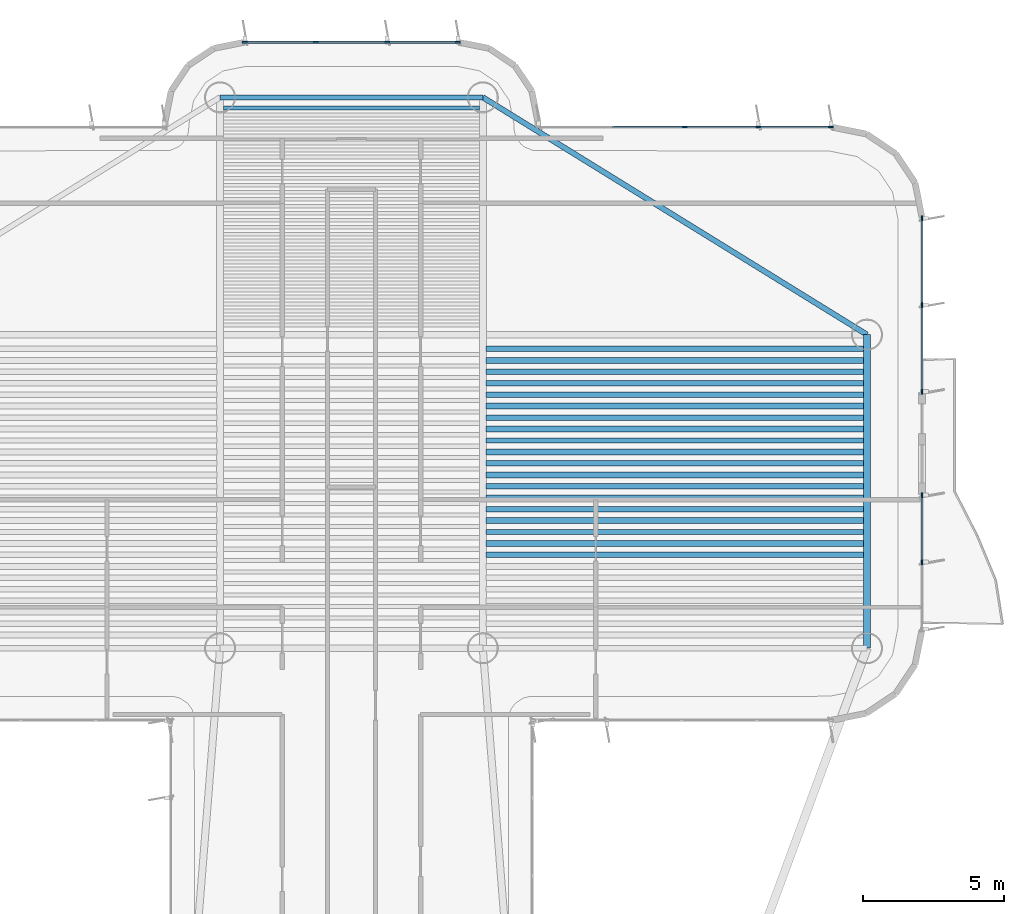
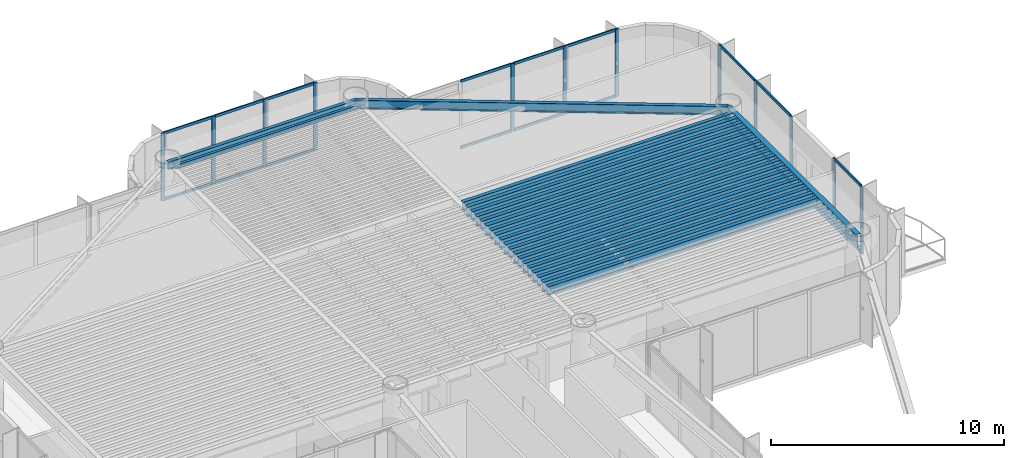
# One storey, part 7 of 14: 30 members, 23 beams, 4 elements without a shape of their own.
"""IFC4 building model written with IfcOpenShell, lengths in metres."""

import ifcopenshell
import ifcopenshell.guid

model = None  # the IFC model being written
_history = None  # IfcOwnerHistory: only IFC2X3 demands one
_inside = {}  # id of a spatial element -> (the spatial element, [elements in it])
_under = {}  # id of a project, library or spatial element -> (it, [spatial elements below it])
_declared = {}  # id of a project -> (the project, [libraries it declares])
_typed = {}  # id of a type object -> (the type object, [elements of that type])
_made_of = {}  # id of a material, layer set ... -> (it, [elements and type objects made of it])


def new_model(schema):
    """Start an empty IFC model of exactly this schema.

    Asked for "IFC4X3", IfcOpenShell would pick the latest addendum, in which some entities
    have other attributes; the version numbers below select the first issue.
    IFC2X3 requires an IfcOwnerHistory on every rooted entity: one is made here for all.
    """
    global model, _history
    if schema == "IFC4X3":
        model = ifcopenshell.file(schema_version=(4, 3, 0, 0))
    else:
        model = ifcopenshell.file(schema=schema)
    _inside.clear()
    _under.clear()
    _declared.clear()
    _typed.clear()
    _made_of.clear()
    _history = None
    if model.schema == "IFC2X3":
        org = make("IfcOrganization", Name="unknown")
        user = make(
            "IfcPersonAndOrganization",
            ThePerson=make("IfcPerson", FamilyName="unknown"),
            TheOrganization=org,
        )
        app = make(
            "IfcApplication",
            ApplicationDeveloper=org,
            Version="unknown",
            ApplicationFullName="unknown",
            ApplicationIdentifier="unknown",
        )
        _history = make(
            "IfcOwnerHistory",
            OwningUser=user,
            OwningApplication=app,
            ChangeAction="ADDED",
            CreationDate=0,
        )
    return model


def make(cls, **values):
    """One entity of the class cls with the attributes given. An attribute that is None is left unset."""
    return model.create_entity(
        cls, **{name: value for name, value in values.items() if value is not None}
    )


def rooted(cls, **values):
    """An entity with a GlobalId (a new one), such as an element, a storey or a relation."""
    return make(cls, GlobalId=ifcopenshell.guid.new(), OwnerHistory=_history, **values)


def si_unit(unit_type, name, prefix=None):
    """IfcSIUnit, for example si_unit("LENGTHUNIT", "METRE", prefix="MILLI")."""
    return make("IfcSIUnit", UnitType=unit_type, Prefix=prefix, Name=name)


def assignment(units):
    """IfcUnitAssignment: the units of a project."""
    return None if units is None else make("IfcUnitAssignment", Units=units)


def point(xyz):
    """IfcCartesianPoint."""
    return None if xyz is None else make("IfcCartesianPoint", Coordinates=xyz)


def direction(xyz):
    """IfcDirection."""
    return None if xyz is None else make("IfcDirection", DirectionRatios=xyz)


def frame(location, z_axis=None, x_axis=None):
    """IfcAxis2Placement3D, a coordinate frame: its origin and axes. An axis left out is left unset."""
    return make(
        "IfcAxis2Placement3D",
        Location=point(location),
        Axis=direction(z_axis),
        RefDirection=direction(x_axis),
    )


def frame_2d(location, x_axis=None):
    """IfcAxis2Placement2D, a coordinate frame in the plane: its origin and x axis."""
    return make(
        "IfcAxis2Placement2D", Location=point(location), RefDirection=direction(x_axis)
    )


def origin():
    """The frame at (0, 0, 0) with its axes left unset."""
    return frame((0.0, 0.0, 0.0))


def origin_2d():
    """The frame at (0, 0) in the plane with its x axis left unset."""
    return frame_2d((0.0, 0.0))


def place(relative_to, where):
    """IfcLocalPlacement: puts the frame where relative to a parent placement (None: the world)."""
    return make(
        "IfcLocalPlacement", PlacementRelTo=relative_to, RelativePlacement=where
    )


def context(
    kind, dimensions, precision=None, world=None, true_north=None, identifier=None
):
    """IfcGeometricRepresentationContext, for example the 3D "Model" context."""
    return make(
        "IfcGeometricRepresentationContext",
        ContextIdentifier=identifier,
        ContextType=kind,
        CoordinateSpaceDimension=dimensions,
        Precision=precision,
        WorldCoordinateSystem=world,
        TrueNorth=true_north,
    )


def subcontext(parent, identifier, kind, view, scale=None):
    """IfcGeometricRepresentationSubContext, for example "Body" below "Model"."""
    return make(
        "IfcGeometricRepresentationSubContext",
        ContextIdentifier=identifier,
        ContextType=kind,
        ParentContext=parent,
        TargetScale=scale,
        TargetView=view,
    )


def project(units=None, contexts=None):
    """IfcProject with its units and contexts."""
    return rooted(
        "IfcProject",
        Name="project",
        RepresentationContexts=contexts,
        UnitsInContext=assignment(units),
    )


def spatial(cls, under=None, at=None, **own):
    """A site, building, storey or space (cls), placed at a placement, below another one or the project."""
    s = rooted(cls, ObjectPlacement=at, **own)
    if under is not None:
        _under.setdefault(under.id(), (under, []))[1].append(s)
    return s


def profile(cls, at=None, kind="AREA", **sizes):
    """A parametric profile (cls). Its sizes go by their IFC names, for example OverallWidth=200.0."""
    return make(cls, ProfileType=kind, Position=at, **sizes)


def rectangle(**sizes):
    """IfcRectangleProfileDef."""
    return profile("IfcRectangleProfileDef", **sizes)


def i_section(**sizes):
    """IfcIShapeProfileDef."""
    return profile("IfcIShapeProfileDef", **sizes)


def extrude(swept, where, along, depth):
    """IfcExtrudedAreaSolid: the profile swept, set in the frame where, extruded along a direction by depth."""
    return make(
        "IfcExtrudedAreaSolid",
        SweptArea=swept,
        Position=where,
        ExtrudedDirection=direction(along),
        Depth=depth,
    )


def shape(context_of_items, identifier, shape_type, items):
    """IfcShapeRepresentation: the items that make up one representation, for example the "Body"."""
    return make(
        "IfcShapeRepresentation",
        ContextOfItems=context_of_items,
        RepresentationIdentifier=identifier,
        RepresentationType=shape_type,
        Items=items,
    )


def source(mapping_origin, context_of_items, identifier, shape_type, items):
    """IfcRepresentationMap: a shape defined once, which mapped items show again and again."""
    return make(
        "IfcRepresentationMap",
        MappingOrigin=mapping_origin,
        MappedRepresentation=shape(context_of_items, identifier, shape_type, items),
    )


def transform(
    local_origin,
    x_axis=None,
    y_axis=None,
    z_axis=None,
    scale=None,
    scale2=None,
    scale3=None,
    uniform=True,
):
    """IfcCartesianTransformationOperator3D, or its non-uniform kind. x_axis, y_axis, z_axis: its Axis1, 2, 3."""
    if uniform:
        return make(
            "IfcCartesianTransformationOperator3D",
            Axis1=direction(x_axis),
            Axis2=direction(y_axis),
            LocalOrigin=point(local_origin),
            Scale=scale,
            Axis3=direction(z_axis),
        )
    return make(
        "IfcCartesianTransformationOperator3DnonUniform",
        Axis1=direction(x_axis),
        Axis2=direction(y_axis),
        LocalOrigin=point(local_origin),
        Scale=scale,
        Axis3=direction(z_axis),
        Scale2=scale2,
        Scale3=scale3,
    )


def mapped(mapping_source, mapping_target):
    """IfcMappedItem: shows the shape of a source again, moved by a transform."""
    return make(
        "IfcMappedItem", MappingSource=mapping_source, MappingTarget=mapping_target
    )


def material(Name=None, Category=None):
    """IfcMaterial."""
    return make("IfcMaterial", Name=Name, Category=Category)


def layer(
    of_material, thickness, ventilated=None, Name=None, Category=None, Priority=None
):
    """IfcMaterialLayer: one layer of a wall or slab, of a material (None: an air gap)."""
    return make(
        "IfcMaterialLayer",
        Material=of_material,
        LayerThickness=thickness,
        IsVentilated=ventilated,
        Name=Name,
        Category=Category,
        Priority=Priority,
    )


def layer_set(layers, Name=None):
    """IfcMaterialLayerSet."""
    return make("IfcMaterialLayerSet", MaterialLayers=layers, LayerSetName=Name)


def material_profile(
    of_material, cross_section, Name=None, Category=None, Priority=None
):
    """IfcMaterialProfile: a cross section and its material."""
    return make(
        "IfcMaterialProfile",
        Name=Name,
        Material=of_material,
        Profile=cross_section,
        Priority=Priority,
        Category=Category,
    )


def profile_set(profiles, Name=None, composite=None):
    """IfcMaterialProfileSet."""
    return make(
        "IfcMaterialProfileSet",
        Name=Name,
        MaterialProfiles=profiles,
        CompositeProfile=composite,
    )


def made_of(thing, what):
    """Note that an element or type object is made of a material, layer set ...; save() writes the relation."""
    if what is not None:
        _made_of.setdefault(what.id(), (what, []))[1].append(thing)
    return thing


def type_object(cls, material=None, **own):
    """A type object (cls), such as IfcWallType, which elements share."""
    return made_of(rooted(cls, **own), material)


def element(
    cls,
    number,
    at=None,
    inside=None,
    cuts=None,
    type_object=None,
    material=None,
    context=None,
    identifier="Body",
    shape_type=None,
    held_by="IfcProductDefinitionShape",
    body=None,
    shapes=None,
    **own,
):
    """One element of the class cls, such as IfcWall. Its Tag is "e" and its number.

    at: its placement. inside: the storey or other place that contains it. cuts: it is an
    opening in that element (IfcRelVoidsElement). A single representation is given by context,
    identifier, shape_type and body (its items); several are given by shapes. held_by: the class
    of the entity that holds the representations. save() writes the other relations.
    """
    e = rooted(cls, Tag="e%d" % number, ObjectPlacement=at, **own)
    if body is not None:
        shapes = [shape(context, identifier, shape_type, body)]
    if shapes is not None:
        e.Representation = make(held_by, Representations=shapes)
    if inside is not None:
        _inside.setdefault(inside.id(), (inside, []))[1].append(e)
    if cuts is not None:
        rooted(
            "IfcRelVoidsElement", RelatingBuildingElement=cuts, RelatedOpeningElement=e
        )
    if type_object is not None:
        _typed.setdefault(type_object.id(), (type_object, []))[1].append(e)
    return made_of(e, material)


def aggregate(whole, parts):
    """IfcRelAggregates: a whole, such as a stair, and the parts it consists of."""
    return rooted("IfcRelAggregates", RelatingObject=whole, RelatedObjects=parts)


def save(model, path):
    """Write the relations noted so far, then the file.

    IfcRelAggregates (storeys below a building ...), IfcRelContainedInSpatialStructure (elements
    in a storey), IfcRelDefinesByType, IfcRelAssociatesMaterial and IfcRelDeclares: one each for
    every whole, place, type object, material and project.
    """
    for whole, parts in _under.values():
        aggregate(whole, parts)
    for where, things in _inside.values():
        rooted(
            "IfcRelContainedInSpatialStructure",
            RelatedElements=things,
            RelatingStructure=where,
        )
    for kind, things in _typed.values():
        rooted("IfcRelDefinesByType", RelatedObjects=things, RelatingType=kind)
    for what, things in _made_of.values():
        rooted("IfcRelAssociatesMaterial", RelatedObjects=things, RelatingMaterial=what)
    for by, libraries in _declared.values():
        rooted("IfcRelDeclares", RelatingContext=by, RelatedDefinitions=libraries)
    model.write(path)


model = new_model("IFC4")

# Units and contexts
model_context = context("Model", 3, precision=1e-05, world=origin(), true_north=direction((0.0, 1.0)))
body_context = subcontext(model_context, "Body", "Model", "MODEL_VIEW")
ifc_project = project(units=[si_unit("LENGTHUNIT", "METRE"), si_unit("AREAUNIT", "SQUARE_METRE"), si_unit("VOLUMEUNIT", "CUBIC_METRE"), si_unit("PLANEANGLEUNIT", "RADIAN"), si_unit("MASSUNIT", "GRAM", prefix="KILO")], contexts=[model_context])

# Site, building, storey
site_placement = place(None, origin())
site = spatial("IfcSite", under=ifc_project, at=site_placement, CompositionType="ELEMENT")
building_placement = place(site_placement, origin())
building = spatial("IfcBuilding", under=site, at=building_placement, Name="Brelvock Crest Care Tower", CompositionType="ELEMENT")
storey_placement = place(building_placement, frame((0.0, 0.0, 182.8798828125)))
storey = spatial("IfcBuildingStorey", under=building, at=storey_placement, Name="L46", CompositionType="ELEMENT", Elevation=182.8798828125)

# Beams
ifc_material_1 = material(Name="Steel Grade 350", Category="steel")
ifc_material_profile_1 = material_profile(ifc_material_1, i_section(OverallWidth=0.177978515625, OverallDepth=0.406005859375, WebThickness=0.0078125, FlangeThickness=0.0126953125, FilletRadius=0.011474609375, at=origin_2d()), Name="410UB59.7")
ifc_profile_set_1 = profile_set([ifc_material_profile_1], Name="Steel Grade 350")
beam_type_1 = type_object("IfcBeamType", Name="BM-SP1", PredefinedType="SPANDREL", material=ifc_profile_set_1)
shared_shape_1 = source(origin(), body_context, "Body", "SweptSolid", [
    extrude(i_section(OverallWidth=0.177978515625, OverallDepth=0.406005859375, WebThickness=0.0078125, FlangeThickness=0.0126953125, FilletRadius=0.011474609375, at=origin_2d()), origin(), (0.0, 0.0, 1.0), 9.2998046875),
])
beam_1_placement = place(storey_placement, frame((31.35009765625, 54.449951171875, 3.3271484375), z_axis=(1.0, 0.0, 0.0), x_axis=(0.0, 1.0, 0.0)))
element("IfcBeam", 1, at=beam_1_placement, inside=storey, type_object=beam_type_1, Name="BM-TWR-L46-08", PredefinedType="SPANDREL", context=body_context, shape_type="MappedRepresentation", body=[
    mapped(shared_shape_1, transform((0.0, 0.0, 0.0), x_axis=(1.0, 0.0, 0.0), y_axis=(0.0, 1.0, 0.0), z_axis=(0.0, 0.0, 1.0), scale=1.0)),
])
ifc_material_profile_2 = material_profile(ifc_material_1, i_section(OverallWidth=0.134033203125, OverallDepth=0.20703125, WebThickness=0.00634765625, FlangeThickness=0.009521484375, FilletRadius=0.0087890625, at=origin_2d()), Name="200UB29.8")
ifc_profile_set_2 = profile_set([ifc_material_profile_2], Name="Steel Grade 350")
beam_type_2 = type_object("IfcBeamType", Name="BM-J4", PredefinedType="JOIST", material=ifc_profile_set_2)
shared_shape_2 = source(origin(), body_context, "Body", "SweptSolid", [
    extrude(i_section(OverallWidth=0.134033203125, OverallDepth=0.20703125, WebThickness=0.00634765625, FlangeThickness=0.009521484375, FilletRadius=0.0087890625, at=origin_2d()), origin(), (0.0, 0.0, 1.0), 9.06982421875),
])
beam_2_placement = place(storey_placement, frame((31.465087890625, 54.06787109375, 3.426513671875), z_axis=(1.0, 0.0, 0.0), x_axis=(0.0, 1.0, 0.0)))
element("IfcBeam", 2, at=beam_2_placement, inside=storey, type_object=beam_type_2, Name="BM-JN-L46-32", PredefinedType="JOIST", context=body_context, shape_type="MappedRepresentation", body=[
    mapped(shared_shape_2, transform((0.0, 0.0, 0.0), x_axis=(1.0, 0.0, 0.0), y_axis=(0.0, 1.0, 0.0), z_axis=(0.0, 0.0, 1.0), scale=1.0)),
])
ifc_material_profile_3 = material_profile(ifc_material_1, i_section(OverallWidth=0.208984375, OverallDepth=0.532958984375, WebThickness=0.01025390625, FlangeThickness=0.015625, FilletRadius=0.013916015625, at=origin_2d()), Name="530UB92.4")
ifc_profile_set_3 = profile_set([ifc_material_profile_3], Name="Steel Grade 350")
beam_type_3 = type_object("IfcBeamType", Name="BM-G2", PredefinedType="BEAM", material=ifc_profile_set_3)
shared_shape_3 = source(origin(), body_context, "Body", "SweptSolid", [
    extrude(i_section(OverallWidth=0.208984375, OverallDepth=0.532958984375, WebThickness=0.01025390625, FlangeThickness=0.015625, FilletRadius=0.013916015625, at=origin_2d()), origin(), (0.0, 0.0, 1.0), 13.3701171875),
])
for number, where, z_axis, x_axis, name in (
    (3, (40.764892578125, 38.657470703125, 3.263671875), (1.0, 0.0, 0.0), (0.0, 1.0, 0.0), "BM-JE-L46-9"),
    (4, (40.764892578125, 39.4677734375, 3.263671875), (1.0, 0.0, 0.0), (0.0, 1.0, 0.0), "BM-JE-L46-11"),
    (5, (40.764892578125, 40.278076171875, 3.263671875), (1.0, 0.0, 0.0), (0.0, 1.0, 0.0), "BM-JE-L46-13"),
    (6, (40.764892578125, 41.08837890625, 3.263671875), (1.0, 0.0, 0.0), (0.0, 1.0, 0.0), "BM-JE-L46-15"),
    (7, (40.764892578125, 41.898681640625, 3.263671875), (1.0, 0.0, 0.0), (0.0, 1.0, 0.0), "BM-JE-L46-17"),
    (8, (40.764892578125, 42.708984375, 3.263671875), (1.0, 0.0, 0.0), (0.0, 1.0, 0.0), "BM-JE-L46-19"),
    (9, (40.764892578125, 43.519287109375, 3.263671875), (1.0, 0.0, 0.0), (0.0, 1.0, 0.0), "BM-JE-L46-21"),
    (10, (40.764892578125, 44.32958984375, 3.263671875), (1.0, 0.0, 0.0), (0.0, 1.0, 0.0), "BM-JE-L46-23"),
    (11, (40.764892578125, 45.139892578125, 3.263671875), (1.0, 0.0, 0.0), (0.0, 1.0, 0.0), "BM-JE-L46-25"),
):
    element("IfcBeam", number, at=place(storey_placement, frame(where, z_axis=z_axis, x_axis=x_axis)), inside=storey, type_object=beam_type_3, Name=name, PredefinedType="BEAM", context=body_context, shape_type="MappedRepresentation", body=[
        mapped(shared_shape_3, transform((0.0, 0.0, 0.0), x_axis=(1.0, 0.0, 0.0), y_axis=(0.0, 1.0, 0.0), z_axis=(0.0, 0.0, 1.0), scale=1.0)),
    ])
ifc_material_profile_4 = material_profile(ifc_material_1, i_section(OverallWidth=0.19091796875, OverallDepth=0.4599609375, WebThickness=0.010009765625, FlangeThickness=0.01611328125, FilletRadius=0.011474609375, at=origin_2d()), Name="460UB82.1")
ifc_profile_set_4 = profile_set([ifc_material_profile_4], Name="Steel Grade 350")
beam_type_4 = type_object("IfcBeamType", Name="BM-G3", PredefinedType="BEAM", material=ifc_profile_set_4)
shared_shape_4 = source(origin(), body_context, "Body", "SweptSolid", [
    extrude(i_section(OverallWidth=0.19091796875, OverallDepth=0.4599609375, WebThickness=0.010009765625, FlangeThickness=0.01611328125, FilletRadius=0.011474609375, at=origin_2d()), origin(), (0.0, 0.0, 1.0), 13.3701171875),
])
for number, where, z_axis, x_axis, name in (
    (12, (40.764892578125, 38.252197265625, 3.300048828125), (1.0, 0.0, 0.0), (0.0, 1.0, 0.0), "BM-JE-L46-8"),
    (13, (40.764892578125, 39.0625, 3.300048828125), (1.0, 0.0, 0.0), (0.0, 1.0, 0.0), "BM-JE-L46-10"),
    (14, (40.764892578125, 39.872802734375, 3.300048828125), (1.0, 0.0, 0.0), (0.0, 1.0, 0.0), "BM-JE-L46-12"),
    (15, (40.764892578125, 40.68310546875, 3.300048828125), (1.0, 0.0, 0.0), (0.0, 1.0, 0.0), "BM-JE-L46-14"),
    (16, (40.764892578125, 41.493408203125, 3.300048828125), (1.0, 0.0, 0.0), (0.0, 1.0, 0.0), "BM-JE-L46-16"),
    (17, (40.764892578125, 42.3037109375, 3.300048828125), (1.0, 0.0, 0.0), (0.0, 1.0, 0.0), "BM-JE-L46-18"),
    (18, (40.764892578125, 43.114013671875, 3.300048828125), (1.0, 0.0, 0.0), (0.0, 1.0, 0.0), "BM-JE-L46-20"),
    (19, (40.764892578125, 43.92431640625, 3.300048828125), (1.0, 0.0, 0.0), (0.0, 1.0, 0.0), "BM-JE-L46-22"),
    (20, (40.764892578125, 44.734619140625, 3.300048828125), (1.0, 0.0, 0.0), (0.0, 1.0, 0.0), "BM-JE-L46-24"),
    (21, (40.764892578125, 45.544921875, 3.300048828125), (1.0, 0.0, 0.0), (0.0, 1.0, 0.0), "BM-JE-L46-26"),
):
    element("IfcBeam", number, at=place(storey_placement, frame(where, z_axis=z_axis, x_axis=x_axis)), inside=storey, type_object=beam_type_4, Name=name, PredefinedType="BEAM", context=body_context, shape_type="MappedRepresentation", body=[
        mapped(shared_shape_4, transform((0.0, 0.0, 0.0), x_axis=(1.0, 0.0, 0.0), y_axis=(0.0, 1.0, 0.0), z_axis=(0.0, 0.0, 1.0), scale=1.0)),
    ])
ifc_material_profile_5 = material_profile(ifc_material_1, i_section(OverallWidth=0.25, OverallDepth=0.699951171875, WebThickness=0.011962890625, FlangeThickness=0.02001953125, at=origin_2d()), Name="700WB150")
ifc_profile_set_5 = profile_set([ifc_material_profile_5], Name="Steel Grade 350")
beam_type_5 = type_object("IfcBeamType", Name="BM-G4", PredefinedType="BEAM", material=ifc_profile_set_5)
shared_shape_5 = source(origin(), body_context, "Body", "SweptSolid", [
    extrude(i_section(OverallWidth=0.25, OverallDepth=0.699951171875, WebThickness=0.011962890625, FlangeThickness=0.02001953125, at=origin_2d()), origin(), (0.0, 0.0, 1.0), 11.10009765625),
])
beam_3_placement = place(storey_placement, frame((54.25, 34.949951171875, 3.18017578125), z_axis=(0.0, 1.0, 0.0), x_axis=(-1.0, 0.0, 0.0)))
element("IfcBeam", 22, at=beam_3_placement, inside=storey, type_object=beam_type_5, Name="BM-TWR-L46-02", PredefinedType="BEAM", context=body_context, shape_type="MappedRepresentation", body=[
    mapped(shared_shape_5, transform((0.0, 0.0, 0.0), x_axis=(1.0, 0.0, 0.0), y_axis=(0.0, 1.0, 0.0), z_axis=(0.0, 0.0, 1.0), scale=1.0)),
])
ifc_material_profile_6 = material_profile(ifc_material_1, i_section(OverallWidth=0.19091796875, OverallDepth=0.4599609375, WebThickness=0.010009765625, FlangeThickness=0.01611328125, FilletRadius=0.011474609375, at=origin_2d()), Name="460UB82.1")
ifc_profile_set_6 = profile_set([ifc_material_profile_6], Name="Steel Grade 350")
beam_type_6 = type_object("IfcBeamType", Name="BM-SP2", PredefinedType="SPANDREL", material=ifc_profile_set_6)
shared_shape_6 = source(origin(), body_context, "Body", "SweptSolid", [
    extrude(i_section(OverallWidth=0.19091796875, OverallDepth=0.4599609375, WebThickness=0.010009765625, FlangeThickness=0.01611328125, FilletRadius=0.011474609375, at=origin_2d()), origin(), (0.0, 0.0, 1.0), 15.985107421875),
])
beam_4_placement = place(storey_placement, frame((40.64990234375, 54.449951171875, 3.300048828125), z_axis=(0.850802415717, -0.525485727124, 0.0), x_axis=(0.525485727124, 0.850802415717, 0.0)))
element("IfcBeam", 23, at=beam_4_placement, inside=storey, type_object=beam_type_6, Name="BM-TWR-L46-07", PredefinedType="SPANDREL", context=body_context, shape_type="MappedRepresentation", body=[
    mapped(shared_shape_6, transform((0.0, 0.0, 0.0), x_axis=(1.0, 0.0, 0.0), y_axis=(0.0, 1.0, 0.0), z_axis=(0.0, 0.0, 1.0), scale=1.0)),
])

# Curtain wall, members
ifc_material_2 = material(Name="Dark Glass Double Glazed Low-E", Category="glass")
ifc_layer = layer(ifc_material_2, 0.22509765625, Name="CWS-4")
ifc_layer_set = layer_set([ifc_layer], Name="Dark Glass Double Glazed Low-E")
curtain_wall_type = type_object("IfcCurtainWallType", Name="CWS-4", PredefinedType="NOTDEFINED", material=ifc_layer_set)
curtain_wall_1_placement = place(storey_placement, origin())
curtain_wall_1 = element("IfcCurtainWall", 24, at=curtain_wall_1_placement, inside=storey, type_object=curtain_wall_type, Name="L46 Curtain Wall E28", PredefinedType="NOTDEFINED")
ifc_material_3 = material(Name="Aluminium 6063-T6", Category="aluminium")
ifc_material_profile_7 = material_profile(ifc_material_3, rectangle(XDim=0.06005859375, YDim=0.179931640625, at=origin_2d()), Name="ALU60x180")
ifc_profile_set_7 = profile_set([ifc_material_profile_7], Name="Aluminium 6063-T6")
member_type_1 = type_object("IfcMemberType", Name="CWM-2", PredefinedType="MULLION", material=ifc_profile_set_7)
shared_shape_7 = source(origin(), body_context, "Body", "SweptSolid", [
    extrude(rectangle(XDim=0.06005859375, YDim=0.179931640625, at=origin_2d()), origin(), (0.0, 0.0, 1.0), 3.530029296875),
])
member_1_placement = place(storey_placement, frame((32.22998046875, 56.39990234375, 0.0), z_axis=(0.0, 0.0, 1.0), x_axis=(0.0, 1.0, 0.0)))
member_1 = element("IfcMember", 25, at=member_1_placement, type_object=member_type_1, Name="CW-4 mullion 1", PredefinedType="MULLION", context=body_context, shape_type="MappedRepresentation", body=[
    mapped(shared_shape_7, transform((0.0, 0.0, 0.0), x_axis=(1.0, 0.0, 0.0), y_axis=(0.0, 1.0, 0.0), z_axis=(0.0, 0.0, 1.0), scale=1.0)),
])
member_2_placement = place(storey_placement, frame((34.7333984375, 56.39990234375, 0.0), z_axis=(0.0, 0.0, 1.0), x_axis=(0.0, 1.0, 0.0)))
member_2 = element("IfcMember", 26, at=member_2_placement, type_object=member_type_1, Name="CW-4 mullion 2", PredefinedType="MULLION", context=body_context, shape_type="MappedRepresentation", body=[
    mapped(shared_shape_7, transform((0.0, 0.0, 0.0), x_axis=(1.0, 0.0, 0.0), y_axis=(0.0, 1.0, 0.0), z_axis=(0.0, 0.0, 1.0), scale=1.0)),
])
member_3_placement = place(storey_placement, frame((37.2666015625, 56.39990234375, 0.0), z_axis=(0.0, 0.0, 1.0), x_axis=(0.0, 1.0, 0.0)))
member_3 = element("IfcMember", 27, at=member_3_placement, type_object=member_type_1, Name="CW-4 mullion 3", PredefinedType="MULLION", context=body_context, shape_type="MappedRepresentation", body=[
    mapped(shared_shape_7, transform((0.0, 0.0, 0.0), x_axis=(1.0, 0.0, 0.0), y_axis=(0.0, 1.0, 0.0), z_axis=(0.0, 0.0, 1.0), scale=1.0)),
])
member_4_placement = place(storey_placement, frame((39.77001953125, 56.39990234375, 0.0), z_axis=(0.0, 0.0, 1.0), x_axis=(0.0, 1.0, 0.0)))
member_4 = element("IfcMember", 28, at=member_4_placement, type_object=member_type_1, Name="CW-4 mullion 4", PredefinedType="MULLION", context=body_context, shape_type="MappedRepresentation", body=[
    mapped(shared_shape_7, transform((0.0, 0.0, 0.0), x_axis=(1.0, 0.0, 0.0), y_axis=(0.0, 1.0, 0.0), z_axis=(0.0, 0.0, 1.0), scale=1.0)),
])

curtain_wall_2_placement = place(storey_placement, origin())
curtain_wall_2 = element("IfcCurtainWall", 29, at=curtain_wall_2_placement, inside=storey, type_object=curtain_wall_type, Name="L46 Curtain Wall E34", PredefinedType="NOTDEFINED")
member_5_placement = place(storey_placement, frame((47.800048828125, 53.39990234375, 0.0), z_axis=(0.0, 0.0, 1.0), x_axis=(0.0, 1.0, 0.0)))
member_5 = element("IfcMember", 30, at=member_5_placement, type_object=member_type_1, Name="CW-4 mullion 3", PredefinedType="MULLION", context=body_context, shape_type="MappedRepresentation", body=[
    mapped(shared_shape_7, transform((0.0, 0.0, 0.0), x_axis=(1.0, 0.0, 0.0), y_axis=(0.0, 1.0, 0.0), z_axis=(0.0, 0.0, 1.0), scale=1.0)),
])
member_6_placement = place(storey_placement, frame((50.39990234375, 53.39990234375, 0.0), z_axis=(0.0, 0.0, 1.0), x_axis=(0.0, 1.0, 0.0)))
member_6 = element("IfcMember", 31, at=member_6_placement, type_object=member_type_1, Name="CW-4 mullion 4", PredefinedType="MULLION", context=body_context, shape_type="MappedRepresentation", body=[
    mapped(shared_shape_7, transform((0.0, 0.0, 0.0), x_axis=(1.0, 0.0, 0.0), y_axis=(0.0, 1.0, 0.0), z_axis=(0.0, 0.0, 1.0), scale=1.0)),
])
member_7_placement = place(storey_placement, frame((52.969970703125, 53.39990234375, 0.0), z_axis=(0.0, 0.0, 1.0), x_axis=(0.0, 1.0, 0.0)))
member_7 = element("IfcMember", 32, at=member_7_placement, type_object=member_type_1, Name="CW-4 mullion 5", PredefinedType="MULLION", context=body_context, shape_type="MappedRepresentation", body=[
    mapped(shared_shape_7, transform((0.0, 0.0, 0.0), x_axis=(1.0, 0.0, 0.0), y_axis=(0.0, 1.0, 0.0), z_axis=(0.0, 0.0, 1.0), scale=1.0)),
])

curtain_wall_3_placement = place(storey_placement, origin())
curtain_wall_3 = element("IfcCurtainWall", 33, at=curtain_wall_3_placement, inside=storey, type_object=curtain_wall_type, Name="L46 Curtain Wall E39A", PredefinedType="NOTDEFINED")
member_8_placement = place(storey_placement, frame((56.199951171875, 50.169921875, 0.0), z_axis=(0.0, 0.0, 1.0), x_axis=(1.0, 0.0, 0.0)))
member_8 = element("IfcMember", 34, at=member_8_placement, type_object=member_type_1, Name="CW-4 mullion 1", PredefinedType="MULLION", context=body_context, shape_type="MappedRepresentation", body=[
    mapped(shared_shape_7, transform((0.0, 0.0, 0.0), x_axis=(1.0, 0.0, 0.0), y_axis=(0.0, 1.0, 0.0), z_axis=(0.0, 0.0, 1.0), scale=1.0)),
])
member_9_placement = place(storey_placement, frame((56.199951171875, 47.10009765625, 0.0), z_axis=(0.0, 0.0, 1.0), x_axis=(1.0, 0.0, 0.0)))
member_9 = element("IfcMember", 35, at=member_9_placement, type_object=member_type_1, Name="CW-4 mullion 2", PredefinedType="MULLION", context=body_context, shape_type="MappedRepresentation", body=[
    mapped(shared_shape_7, transform((0.0, 0.0, 0.0), x_axis=(1.0, 0.0, 0.0), y_axis=(0.0, 1.0, 0.0), z_axis=(0.0, 0.0, 1.0), scale=1.0)),
])
member_10_placement = place(storey_placement, frame((56.199951171875, 44.030029296875, 0.0), z_axis=(0.0, 0.0, 1.0), x_axis=(1.0, 0.0, 0.0)))
member_10 = element("IfcMember", 36, at=member_10_placement, type_object=member_type_1, Name="CW-4 mullion 3", PredefinedType="MULLION", context=body_context, shape_type="MappedRepresentation", body=[
    mapped(shared_shape_7, transform((0.0, 0.0, 0.0), x_axis=(1.0, 0.0, 0.0), y_axis=(0.0, 1.0, 0.0), z_axis=(0.0, 0.0, 1.0), scale=1.0)),
])

curtain_wall_4_placement = place(storey_placement, origin())
curtain_wall_4 = element("IfcCurtainWall", 37, at=curtain_wall_4_placement, inside=storey, type_object=curtain_wall_type, Name="L46 Curtain Wall E39B", PredefinedType="NOTDEFINED")
member_11_placement = place(storey_placement, frame((56.199951171875, 40.3701171875, 0.0), z_axis=(0.0, 0.0, 1.0), x_axis=(1.0, 0.0, 0.0)))
member_11 = element("IfcMember", 38, at=member_11_placement, type_object=member_type_1, Name="CW-4 mullion 1", PredefinedType="MULLION", context=body_context, shape_type="MappedRepresentation", body=[
    mapped(shared_shape_7, transform((0.0, 0.0, 0.0), x_axis=(1.0, 0.0, 0.0), y_axis=(0.0, 1.0, 0.0), z_axis=(0.0, 0.0, 1.0), scale=1.0)),
])
member_12_placement = place(storey_placement, frame((56.199951171875, 38.0, 0.0), z_axis=(0.0, 0.0, 1.0), x_axis=(1.0, 0.0, 0.0)))
member_12 = element("IfcMember", 39, at=member_12_placement, type_object=member_type_1, Name="CW-4 mullion 2", PredefinedType="MULLION", context=body_context, shape_type="MappedRepresentation", body=[
    mapped(shared_shape_7, transform((0.0, 0.0, 0.0), x_axis=(1.0, 0.0, 0.0), y_axis=(0.0, 1.0, 0.0), z_axis=(0.0, 0.0, 1.0), scale=1.0)),
])

# Member
ifc_material_profile_8 = material_profile(ifc_material_3, rectangle(XDim=0.06005859375, YDim=0.139892578125, at=origin_2d()), Name="ALU60x140")
ifc_profile_set_8 = profile_set([ifc_material_profile_8], Name="Aluminium 6063-T6")
member_type_2 = type_object("IfcMemberType", Name="CWT-2", PredefinedType="USERDEFINED", material=ifc_profile_set_8)
shared_shape_8 = source(origin(), body_context, "Body", "SweptSolid", [
    extrude(rectangle(XDim=0.06005859375, YDim=0.139892578125, at=origin_2d()), origin(), (0.0, 0.0, 1.0), 2.443359375),
])
member_13_placement = place(storey_placement, frame((32.260009765625, 56.39990234375, 0.030029296875), z_axis=(1.0, 0.0, 0.0), x_axis=(0.0, 1.0, 0.0)))
member_13 = element("IfcMember", 40, at=member_13_placement, type_object=member_type_2, Name="CW-4 transom 1.1", ObjectType="TRANSOM", PredefinedType="USERDEFINED", context=body_context, shape_type="MappedRepresentation", body=[
    mapped(shared_shape_8, transform((0.0, 0.0, 0.0), x_axis=(1.0, 0.0, 0.0), y_axis=(0.0, 1.0, 0.0), z_axis=(0.0, 0.0, 1.0), scale=1.0)),
])

member_14_placement = place(storey_placement, frame((32.260009765625, 56.39990234375, 3.5), z_axis=(1.0, 0.0, 0.0), x_axis=(0.0, 1.0, 0.0)))
member_14 = element("IfcMember", 41, at=member_14_placement, type_object=member_type_2, Name="CW-4 transom 1.2", ObjectType="TRANSOM", PredefinedType="USERDEFINED", context=body_context, shape_type="MappedRepresentation", body=[
    mapped(shared_shape_8, transform((0.0, 0.0, 0.0), x_axis=(1.0, 0.0, 0.0), y_axis=(0.0, 1.0, 0.0), z_axis=(0.0, 0.0, 1.0), scale=1.0)),
])

member_15_placement = place(storey_placement, frame((37.296630859375, 56.39990234375, 0.030029296875), z_axis=(1.0, 0.0, 0.0), x_axis=(0.0, 1.0, 0.0)))
member_15 = element("IfcMember", 42, at=member_15_placement, type_object=member_type_2, Name="CW-4 transom 3.1", ObjectType="TRANSOM", PredefinedType="USERDEFINED", context=body_context, shape_type="MappedRepresentation", body=[
    mapped(shared_shape_8, transform((0.0, 0.0, 0.0), x_axis=(1.0, 0.0, 0.0), y_axis=(0.0, 1.0, 0.0), z_axis=(0.0, 0.0, 1.0), scale=1.0)),
])

member_16_placement = place(storey_placement, frame((37.296630859375, 56.39990234375, 3.5), z_axis=(1.0, 0.0, 0.0), x_axis=(0.0, 1.0, 0.0)))
member_16 = element("IfcMember", 43, at=member_16_placement, type_object=member_type_2, Name="CW-4 transom 3.2", ObjectType="TRANSOM", PredefinedType="USERDEFINED", context=body_context, shape_type="MappedRepresentation", body=[
    mapped(shared_shape_8, transform((0.0, 0.0, 0.0), x_axis=(1.0, 0.0, 0.0), y_axis=(0.0, 1.0, 0.0), z_axis=(0.0, 0.0, 1.0), scale=1.0)),
])

shared_shape_9 = source(origin(), body_context, "Body", "SweptSolid", [
    extrude(rectangle(XDim=0.06005859375, YDim=0.139892578125, at=origin_2d()), origin(), (0.0, 0.0, 1.0), 2.47314453125),
])
member_17_placement = place(storey_placement, frame((34.763427734375, 56.39990234375, 0.030029296875), z_axis=(1.0, 0.0, 0.0), x_axis=(0.0, 1.0, 0.0)))
member_17 = element("IfcMember", 44, at=member_17_placement, type_object=member_type_2, Name="CW-4 transom 2.1", ObjectType="TRANSOM", PredefinedType="USERDEFINED", context=body_context, shape_type="MappedRepresentation", body=[
    mapped(shared_shape_9, transform((0.0, 0.0, 0.0), x_axis=(1.0, 0.0, 0.0), y_axis=(0.0, 1.0, 0.0), z_axis=(0.0, 0.0, 1.0), scale=1.0)),
])

member_18_placement = place(storey_placement, frame((34.763427734375, 56.39990234375, 3.5), z_axis=(1.0, 0.0, 0.0), x_axis=(0.0, 1.0, 0.0)))
member_18 = element("IfcMember", 45, at=member_18_placement, type_object=member_type_2, Name="CW-4 transom 2.2", ObjectType="TRANSOM", PredefinedType="USERDEFINED", context=body_context, shape_type="MappedRepresentation", body=[
    mapped(shared_shape_9, transform((0.0, 0.0, 0.0), x_axis=(1.0, 0.0, 0.0), y_axis=(0.0, 1.0, 0.0), z_axis=(0.0, 0.0, 1.0), scale=1.0)),
])

aggregate(curtain_wall_1, [member_1, member_2, member_3, member_4, member_13, member_14, member_17, member_18, member_15, member_16])

shared_shape_10 = source(origin(), body_context, "Body", "SweptSolid", [
    extrude(rectangle(XDim=0.06005859375, YDim=0.139892578125, at=origin_2d()), origin(), (0.0, 0.0, 1.0), 2.510009765625),
])
member_19_placement = place(storey_placement, frame((50.429931640625, 53.39990234375, 0.030029296875), z_axis=(1.0, 0.0, 0.0), x_axis=(0.0, 1.0, 0.0)))
member_19 = element("IfcMember", 46, at=member_19_placement, type_object=member_type_2, Name="CW-4 transom 4.1", ObjectType="TRANSOM", PredefinedType="USERDEFINED", context=body_context, shape_type="MappedRepresentation", body=[
    mapped(shared_shape_10, transform((0.0, 0.0, 0.0), x_axis=(1.0, 0.0, 0.0), y_axis=(0.0, 1.0, 0.0), z_axis=(0.0, 0.0, 1.0), scale=1.0)),
])

member_20_placement = place(storey_placement, frame((50.429931640625, 53.39990234375, 3.5), z_axis=(1.0, 0.0, 0.0), x_axis=(0.0, 1.0, 0.0)))
member_20 = element("IfcMember", 47, at=member_20_placement, type_object=member_type_2, Name="CW-4 transom 4.2", ObjectType="TRANSOM", PredefinedType="USERDEFINED", context=body_context, shape_type="MappedRepresentation", body=[
    mapped(shared_shape_10, transform((0.0, 0.0, 0.0), x_axis=(1.0, 0.0, 0.0), y_axis=(0.0, 1.0, 0.0), z_axis=(0.0, 0.0, 1.0), scale=1.0)),
])

shared_shape_11 = source(origin(), body_context, "Body", "SweptSolid", [
    extrude(rectangle(XDim=0.06005859375, YDim=0.139892578125, at=origin_2d()), origin(), (0.0, 0.0, 1.0), 2.5400390625),
])
member_21_placement = place(storey_placement, frame((45.22998046875, 53.39990234375, 0.030029296875), z_axis=(1.0, 0.0, 0.0), x_axis=(0.0, 1.0, 0.0)))
member_21 = element("IfcMember", 48, at=member_21_placement, type_object=member_type_2, Name="CW-4 transom 2.1", ObjectType="TRANSOM", PredefinedType="USERDEFINED", context=body_context, shape_type="MappedRepresentation", body=[
    mapped(shared_shape_11, transform((0.0, 0.0, 0.0), x_axis=(1.0, 0.0, 0.0), y_axis=(0.0, 1.0, 0.0), z_axis=(0.0, 0.0, 1.0), scale=1.0)),
])

member_22_placement = place(storey_placement, frame((45.22998046875, 53.39990234375, 3.5), z_axis=(1.0, 0.0, 0.0), x_axis=(0.0, 1.0, 0.0)))
member_22 = element("IfcMember", 49, at=member_22_placement, type_object=member_type_2, Name="CW-4 transom 2.2", ObjectType="TRANSOM", PredefinedType="USERDEFINED", context=body_context, shape_type="MappedRepresentation", body=[
    mapped(shared_shape_11, transform((0.0, 0.0, 0.0), x_axis=(1.0, 0.0, 0.0), y_axis=(0.0, 1.0, 0.0), z_axis=(0.0, 0.0, 1.0), scale=1.0)),
])

member_23_placement = place(storey_placement, frame((47.830078125, 53.39990234375, 0.030029296875), z_axis=(1.0, 0.0, 0.0), x_axis=(0.0, 1.0, 0.0)))
member_23 = element("IfcMember", 50, at=member_23_placement, type_object=member_type_2, Name="CW-4 transom 3.1", ObjectType="TRANSOM", PredefinedType="USERDEFINED", context=body_context, shape_type="MappedRepresentation", body=[
    mapped(shared_shape_11, transform((0.0, 0.0, 0.0), x_axis=(1.0, 0.0, 0.0), y_axis=(0.0, 1.0, 0.0), z_axis=(0.0, 0.0, 1.0), scale=1.0)),
])

member_24_placement = place(storey_placement, frame((47.830078125, 53.39990234375, 3.5), z_axis=(1.0, 0.0, 0.0), x_axis=(0.0, 1.0, 0.0)))
member_24 = element("IfcMember", 51, at=member_24_placement, type_object=member_type_2, Name="CW-4 transom 3.2", ObjectType="TRANSOM", PredefinedType="USERDEFINED", context=body_context, shape_type="MappedRepresentation", body=[
    mapped(shared_shape_11, transform((0.0, 0.0, 0.0), x_axis=(1.0, 0.0, 0.0), y_axis=(0.0, 1.0, 0.0), z_axis=(0.0, 0.0, 1.0), scale=1.0)),
])

aggregate(curtain_wall_2, [member_5, member_6, member_7, member_21, member_22, member_23, member_24, member_19, member_20])

shared_shape_12 = source(origin(), body_context, "Body", "SweptSolid", [
    extrude(rectangle(XDim=0.06005859375, YDim=0.139892578125, at=origin_2d()), origin(), (0.0, 0.0, 1.0), 2.31005859375),
])
member_25_placement = place(storey_placement, frame((56.199951171875, 40.340087890625, 0.030029296875), z_axis=(0.0, -1.0, 0.0), x_axis=(1.0, 0.0, 0.0)))
member_25 = element("IfcMember", 52, at=member_25_placement, type_object=member_type_2, Name="CW-4 transom 1.1", ObjectType="TRANSOM", PredefinedType="USERDEFINED", context=body_context, shape_type="MappedRepresentation", body=[
    mapped(shared_shape_12, transform((0.0, 0.0, 0.0), x_axis=(1.0, 0.0, 0.0), y_axis=(0.0, 1.0, 0.0), z_axis=(0.0, 0.0, 1.0), scale=1.0)),
])

member_26_placement = place(storey_placement, frame((56.199951171875, 40.340087890625, 3.5), z_axis=(0.0, -1.0, 0.0), x_axis=(1.0, 0.0, 0.0)))
member_26 = element("IfcMember", 53, at=member_26_placement, type_object=member_type_2, Name="CW-4 transom 1.2", ObjectType="TRANSOM", PredefinedType="USERDEFINED", context=body_context, shape_type="MappedRepresentation", body=[
    mapped(shared_shape_12, transform((0.0, 0.0, 0.0), x_axis=(1.0, 0.0, 0.0), y_axis=(0.0, 1.0, 0.0), z_axis=(0.0, 0.0, 1.0), scale=1.0)),
])

aggregate(curtain_wall_4, [member_11, member_12, member_25, member_26])

shared_shape_13 = source(origin(), body_context, "Body", "SweptSolid", [
    extrude(rectangle(XDim=0.06005859375, YDim=0.139892578125, at=origin_2d()), origin(), (0.0, 0.0, 1.0), 3.010009765625),
])
member_27_placement = place(storey_placement, frame((56.199951171875, 50.139892578125, 0.030029296875), z_axis=(0.0, -1.0, 0.0), x_axis=(1.0, 0.0, 0.0)))
member_27 = element("IfcMember", 54, at=member_27_placement, type_object=member_type_2, Name="CW-4 transom 1.1", ObjectType="TRANSOM", PredefinedType="USERDEFINED", context=body_context, shape_type="MappedRepresentation", body=[
    mapped(shared_shape_13, transform((0.0, 0.0, 0.0), x_axis=(1.0, 0.0, 0.0), y_axis=(0.0, 1.0, 0.0), z_axis=(0.0, 0.0, 1.0), scale=1.0)),
])

member_28_placement = place(storey_placement, frame((56.199951171875, 50.139892578125, 3.5), z_axis=(0.0, -1.0, 0.0), x_axis=(1.0, 0.0, 0.0)))
member_28 = element("IfcMember", 55, at=member_28_placement, type_object=member_type_2, Name="CW-4 transom 1.2", ObjectType="TRANSOM", PredefinedType="USERDEFINED", context=body_context, shape_type="MappedRepresentation", body=[
    mapped(shared_shape_13, transform((0.0, 0.0, 0.0), x_axis=(1.0, 0.0, 0.0), y_axis=(0.0, 1.0, 0.0), z_axis=(0.0, 0.0, 1.0), scale=1.0)),
])

member_29_placement = place(storey_placement, frame((56.199951171875, 47.070068359375, 0.030029296875), z_axis=(0.0, -1.0, 0.0), x_axis=(1.0, 0.0, 0.0)))
member_29 = element("IfcMember", 56, at=member_29_placement, type_object=member_type_2, Name="CW-4 transom 2.1", ObjectType="TRANSOM", PredefinedType="USERDEFINED", context=body_context, shape_type="MappedRepresentation", body=[
    mapped(shared_shape_13, transform((0.0, 0.0, 0.0), x_axis=(1.0, 0.0, 0.0), y_axis=(0.0, 1.0, 0.0), z_axis=(0.0, 0.0, 1.0), scale=1.0)),
])

member_30_placement = place(storey_placement, frame((56.199951171875, 47.070068359375, 3.5), z_axis=(0.0, -1.0, 0.0), x_axis=(1.0, 0.0, 0.0)))
member_30 = element("IfcMember", 57, at=member_30_placement, type_object=member_type_2, Name="CW-4 transom 2.2", ObjectType="TRANSOM", PredefinedType="USERDEFINED", context=body_context, shape_type="MappedRepresentation", body=[
    mapped(shared_shape_13, transform((0.0, 0.0, 0.0), x_axis=(1.0, 0.0, 0.0), y_axis=(0.0, 1.0, 0.0), z_axis=(0.0, 0.0, 1.0), scale=1.0)),
])

aggregate(curtain_wall_3, [member_8, member_9, member_10, member_27, member_28, member_29, member_30])

save(model, "model.ifc")
